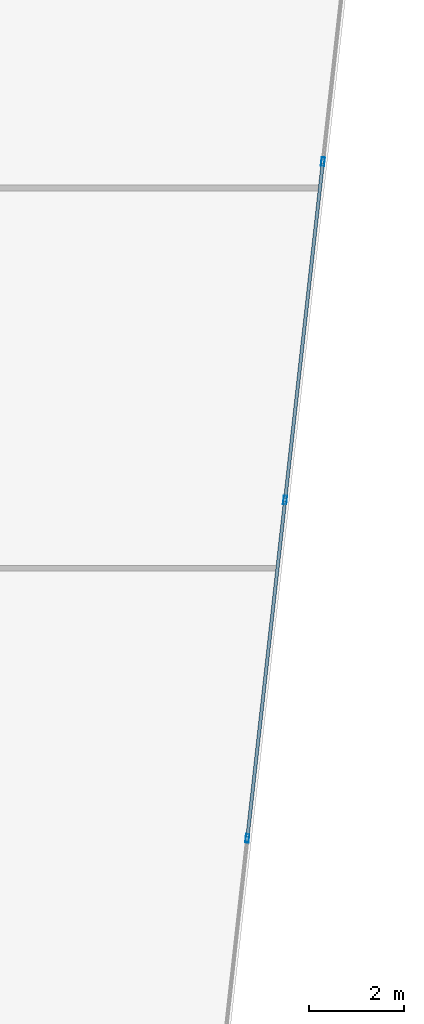
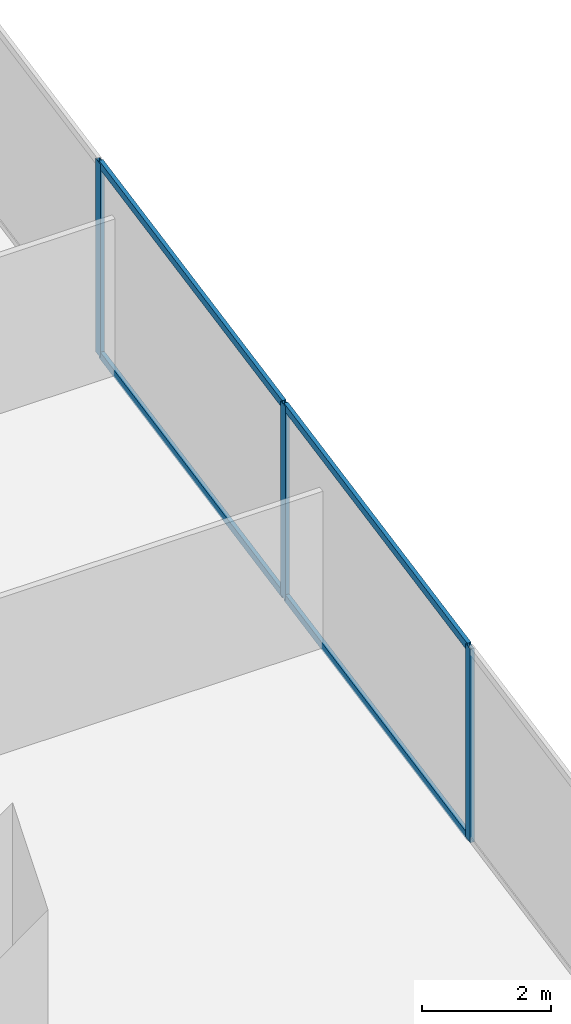
# One storey, part 14 of 28: 7 members, 1 element without a shape of its own.
"""IFC4 building model written with IfcOpenShell, lengths in metres."""

from ifc_helpers import new_model, si_unit, direction, frame, origin, origin_2d, place, context, subcontext, project, spatial, hollow_rectangle, extrude, source, transform, mapped, material, material_profile, profile_set, type_object, type_shapes, element, aggregate, save


model = new_model("IFC4")

# Units and contexts
model_context = context("Model", 3, precision=1e-05, world=origin(), true_north=direction((0.0, 1.0)))
body_context = subcontext(model_context, "Body", "Model", "MODEL_VIEW")
ifc_project = project(units=[si_unit("LENGTHUNIT", "METRE"), si_unit("AREAUNIT", "SQUARE_METRE"), si_unit("VOLUMEUNIT", "CUBIC_METRE"), si_unit("PLANEANGLEUNIT", "RADIAN"), si_unit("MASSUNIT", "GRAM", prefix="KILO")], contexts=[model_context])

# Site, building, storey
site_placement = place(None, origin())
site = spatial("IfcSite", under=ifc_project, at=site_placement, CompositionType="ELEMENT")
building_placement = place(site_placement, origin())
building = spatial("IfcBuilding", under=site, at=building_placement, Name="Krantzveldt Concourse Tower", CompositionType="ELEMENT")
storey_placement = place(building_placement, frame((0.0, 0.0, 64.5)))
storey = spatial("IfcBuildingStorey", under=building, at=storey_placement, Name="L15", CompositionType="ELEMENT", Elevation=64.5)

# Curtain wall, members
ifc_material = material(Name="Anodised aluminium 6063-T6", Category="aluminium")
curtain_wall_type = type_object("IfcCurtainWallType", Name="CW2", PredefinedType="USERDEFINED", material=ifc_material)
curtain_wall_placement = place(storey_placement, origin())
curtain_wall = element("IfcCurtainWall", 1, at=curtain_wall_placement, inside=storey, type_object=curtain_wall_type, Name="CW-L15-F07", ObjectType="UNITISED CURTAIN WALL", PredefinedType="USERDEFINED")
ifc_material_profile_1 = material_profile(ifc_material, hollow_rectangle(XDim=0.070068359375, YDim=0.179931640625, WallThickness=0.0048828125, at=origin_2d()), Name="Anodised aluminium 6063-T6", Category="aluminium")
ifc_profile_set_1 = profile_set([ifc_material_profile_1], Name="Anodised aluminium 6063-T6 - ALU-MULL 180x70x5")
member_type_1 = type_object("IfcMemberType", Name="CW-MUL-180", PredefinedType="MULLION", material=ifc_profile_set_1)
shared_shape_1 = source(origin(), body_context, "Body", "SweptSolid", [
    extrude(hollow_rectangle(XDim=0.070068359375, YDim=0.179931640625, WallThickness=0.0048828125, at=origin_2d()), origin(), (0.0, 0.0, 1.0), 3.669921875),
])
type_shapes(member_type_1, [shared_shape_1])
member_1_placement = place(storey_placement, frame((59.960205078125, 16.811767578125, 0.0), z_axis=(0.0, 0.0, 1.0), x_axis=(-0.993816458223, 0.111035342863, 0.0)))
member_1 = element("IfcMember", 2, at=member_1_placement, type_object=member_type_1, Name="CW-Z12 mullion 3", PredefinedType="MULLION", context=body_context, shape_type="MappedRepresentation", body=[
    mapped(shared_shape_1, transform((0.0, 0.0, 0.0), x_axis=(1.0, 0.0, 0.0), y_axis=(0.0, 1.0, 0.0), z_axis=(0.0, 0.0, 1.0), scale=1.0)),
])
member_2_placement = place(storey_placement, frame((60.755859375, 23.93408203125, 0.0), z_axis=(0.0, 0.0, 1.0), x_axis=(-0.993816458223, 0.111035342863, 0.0)))
member_2 = element("IfcMember", 3, at=member_2_placement, type_object=member_type_1, Name="CW-Z12 mullion 4", PredefinedType="MULLION", context=body_context, shape_type="MappedRepresentation", body=[
    mapped(shared_shape_1, transform((0.0, 0.0, 0.0), x_axis=(1.0, 0.0, 0.0), y_axis=(0.0, 1.0, 0.0), z_axis=(0.0, 0.0, 1.0), scale=1.0)),
])
member_3_placement = place(storey_placement, frame((61.5517578125, 31.056396484375, 0.0), z_axis=(0.0, 0.0, 1.0), x_axis=(-0.993816458223, 0.111035342863, 0.0)))
member_3 = element("IfcMember", 4, at=member_3_placement, type_object=member_type_1, Name="CW-Z12 mullion 5", PredefinedType="MULLION", context=body_context, shape_type="MappedRepresentation", body=[
    mapped(shared_shape_1, transform((0.0, 0.0, 0.0), x_axis=(1.0, 0.0, 0.0), y_axis=(0.0, 1.0, 0.0), z_axis=(0.0, 0.0, 1.0), scale=1.0)),
])
ifc_material_profile_2 = material_profile(ifc_material, hollow_rectangle(XDim=0.070068359375, YDim=0.139892578125, WallThickness=0.0048828125, at=origin_2d()), Name="Anodised aluminium 6063-T6", Category="aluminium")
ifc_profile_set_2 = profile_set([ifc_material_profile_2], Name="Anodised aluminium 6063-T6 - ALU-TRAN 140x70x5")
member_type_2 = type_object("IfcMemberType", Name="CW-TRN-150", PredefinedType="USERDEFINED", material=ifc_profile_set_2)
shared_shape_2 = source(origin(), body_context, "Body", "SweptSolid", [
    extrude(hollow_rectangle(XDim=0.070068359375, YDim=0.139892578125, WallThickness=0.0048828125, at=origin_2d()), origin(), (0.0, 0.0, 1.0), 7.0966796875),
])
member_4_placement = place(storey_placement, frame((60.759765625, 23.968994140625, 0.034912109375), z_axis=(0.111050746722, 0.993814737088, 0.0), x_axis=(-0.993814737088, 0.111050746722, 0.0)))
member_4 = element("IfcMember", 5, at=member_4_placement, type_object=member_type_2, Name="CW-Z12 transom 4.1", ObjectType="TRANSOM", PredefinedType="USERDEFINED", context=body_context, shape_type="MappedRepresentation", body=[
    mapped(shared_shape_2, transform((0.0, 0.0, 0.0), x_axis=(1.0, 0.0, 0.0), y_axis=(0.0, 1.0, 0.0), z_axis=(0.0, 0.0, 1.0), scale=1.0)),
])
member_5_placement = place(storey_placement, frame((60.759765625, 23.968994140625, 3.635009765625), z_axis=(0.111050746722, 0.993814737088, 0.0), x_axis=(-0.993814737088, 0.111050746722, 0.0)))
member_5 = element("IfcMember", 6, at=member_5_placement, type_object=member_type_2, Name="CW-Z12 transom 4.2", ObjectType="TRANSOM", PredefinedType="USERDEFINED", context=body_context, shape_type="MappedRepresentation", body=[
    mapped(shared_shape_2, transform((0.0, 0.0, 0.0), x_axis=(1.0, 0.0, 0.0), y_axis=(0.0, 1.0, 0.0), z_axis=(0.0, 0.0, 1.0), scale=1.0)),
])
shared_shape_3 = source(origin(), body_context, "Body", "SweptSolid", [
    extrude(hollow_rectangle(XDim=0.070068359375, YDim=0.139892578125, WallThickness=0.0048828125, at=origin_2d()), origin(), (0.0, 0.0, 1.0), 7.096923828125),
])
type_shapes(member_type_2, [shared_shape_2, shared_shape_3])
member_6_placement = place(storey_placement, frame((59.964111328125, 16.846435546875, 0.034912109375), z_axis=(0.111046950076, 0.993815161325, 0.0), x_axis=(-0.993815161325, 0.111046950076, 0.0)))
member_6 = element("IfcMember", 7, at=member_6_placement, type_object=member_type_2, Name="CW-Z12 transom 3.1", ObjectType="TRANSOM", PredefinedType="USERDEFINED", context=body_context, shape_type="MappedRepresentation", body=[
    mapped(shared_shape_3, transform((0.0, 0.0, 0.0), x_axis=(1.0, 0.0, 0.0), y_axis=(0.0, 1.0, 0.0), z_axis=(0.0, 0.0, 1.0), scale=1.0)),
])
member_7_placement = place(storey_placement, frame((59.964111328125, 16.846435546875, 3.635009765625), z_axis=(0.111046950076, 0.993815161325, 0.0), x_axis=(-0.993815161325, 0.111046950076, 0.0)))
member_7 = element("IfcMember", 8, at=member_7_placement, type_object=member_type_2, Name="CW-Z12 transom 3.2", ObjectType="TRANSOM", PredefinedType="USERDEFINED", context=body_context, shape_type="MappedRepresentation", body=[
    mapped(shared_shape_3, transform((0.0, 0.0, 0.0), x_axis=(1.0, 0.0, 0.0), y_axis=(0.0, 1.0, 0.0), z_axis=(0.0, 0.0, 1.0), scale=1.0)),
])
aggregate(curtain_wall, [member_1, member_2, member_3, member_6, member_7, member_4, member_5])

save(model, "model.ifc")
